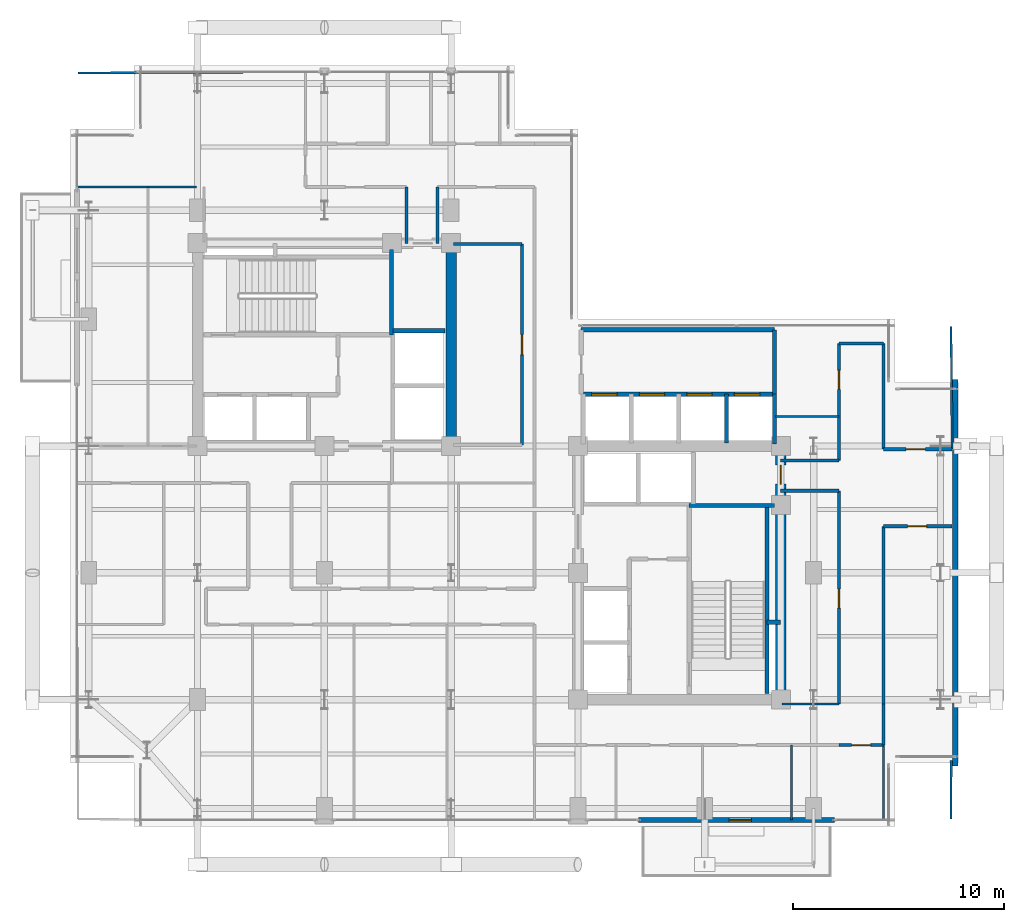
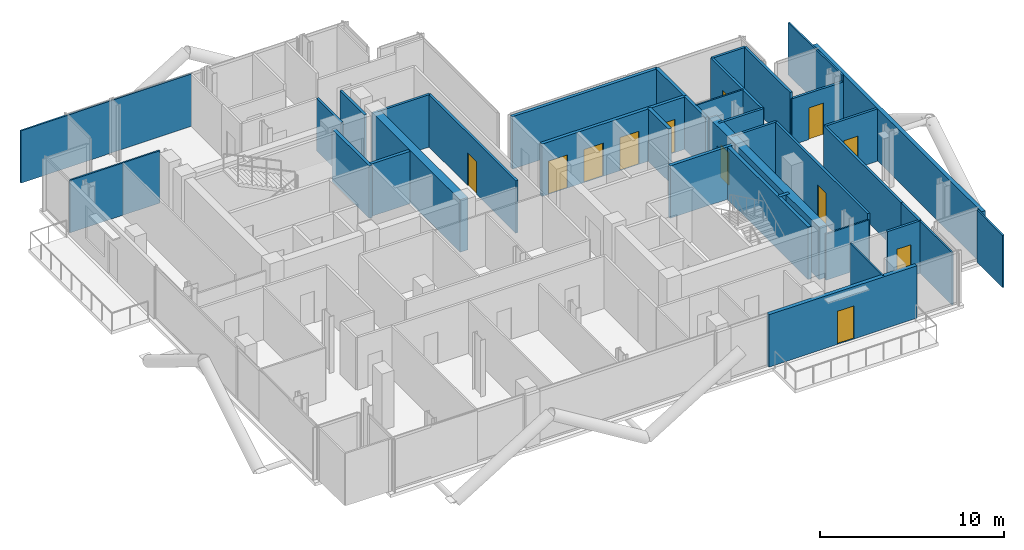
# One storey, part 22 of 26: 38 walls, 12 doors, 12 openings.
"""IFC4 building model written with IfcOpenShell, lengths in metres."""

from ifc_helpers import new_model, si_unit, direction, frame, frame_2d, origin, place, context, subcontext, project, spatial, rectangle, extrude, material, layer, layer_set, type_object, element, fill, save


model = new_model("IFC4")

# Units and contexts
model_context = context("Model", 3, precision=1e-05, world=origin(), true_north=direction((0.0, 1.0)))
body_context = subcontext(model_context, "Body", "Model", "MODEL_VIEW")
ifc_project = project(units=[si_unit("LENGTHUNIT", "METRE"), si_unit("AREAUNIT", "SQUARE_METRE"), si_unit("VOLUMEUNIT", "CUBIC_METRE"), si_unit("PLANEANGLEUNIT", "RADIAN"), si_unit("MASSUNIT", "GRAM", prefix="KILO"), si_unit("THERMODYNAMICTEMPERATUREUNIT", "KELVIN"), si_unit("POWERUNIT", "WATT")], contexts=[model_context])

# Site, building, storey
site_placement = place(None, origin())
site = spatial("IfcSite", under=ifc_project, at=site_placement, CompositionType="ELEMENT")
building_placement = place(site_placement, origin())
building = spatial("IfcBuilding", under=site, at=building_placement, Name="Svarakhadi Broadcast Tower", CompositionType="ELEMENT")
storey_placement = place(building_placement, frame((0.0, 0.0, 195.449951171875)))
storey = spatial("IfcBuildingStorey", under=building, at=storey_placement, Name="L48", CompositionType="ELEMENT", Elevation=195.449951171875)

# Wall, opening, door
ifc_material_1 = material(Name="Concrete C40/50 (IS 456 M50)", Category="concrete")
ifc_layer_1 = layer(ifc_material_1, 0.239990234375)
ifc_layer_set_1 = layer_set([ifc_layer_1], Name="Concrete C40/50 (IS 456 M50)")
wall_type_1 = type_object("IfcWallType", Name="Wall_Ext_240", PredefinedType="SOLIDWALL", material=ifc_layer_set_1)
wall_1_placement = place(storey_placement, frame((36.14501953125, 0.300048828125, 0.0), z_axis=(0.0, 0.0, 1.0), x_axis=(-1.0, 0.0, 0.0)))
wall_1 = element("IfcWall", 1, at=wall_1_placement, inside=storey, type_object=wall_type_1, Name="L48 South Tree Balcony Spandrel Wall", PredefinedType="SOLIDWALL", context=body_context, shape_type="SweptSolid", body=[
    extrude(rectangle(XDim=9.2900390625, YDim=0.239990234375, at=frame_2d((4.64501953125, 0.0))), origin(), (0.0, 0.0, 1.0), 3.47509765625),
])
opening_1_placement = place(wall_1_placement, frame((3.945068359375, 0.0, 0.0)))
opening_1 = element("IfcOpeningElement", 2, at=opening_1_placement, cuts=wall_1, Name="Opening ED-06", PredefinedType="OPENING", context=body_context, shape_type="SweptSolid", body=[
    extrude(rectangle(XDim=1.050048828125, YDim=2.199951171875, at=frame_2d((0.52490234375, 1.10009765625))), frame((0.0, 0.1298828125, 0.0), z_axis=(0.0, -1.0, 0.0), x_axis=(1.0, 0.0, 0.0)), (0.0, 0.0, 1.0), 0.260009765625),
])
ifc_material_2 = material(Name="Anodised Bronze Aluminium AA 6063-T6", Category="aluminium")
door_type_1 = type_object("IfcDoorType", Name="Door_Ext_ED06", OperationType="SINGLE_SWING_RIGHT", PredefinedType="DOOR", material=ifc_material_2)
door_1_placement = place(opening_1_placement, origin())
door_1 = element("IfcDoor", 3, at=door_1_placement, inside=storey, type_object=door_type_1, Name="L48 South Tree Balcony Door", OperationType="SINGLE_SWING_RIGHT", OverallHeight=2.199951171875, OverallWidth=1.050048828125, PredefinedType="DOOR", context=body_context, shape_type="SweptSolid", body=[
    extrude(rectangle(XDim=1.050048828125, YDim=2.199951171875, at=frame_2d((0.52490234375, 1.10009765625))), frame((0.0, 0.02490234375, 0.0), z_axis=(0.0, -1.0, 0.0), x_axis=(1.0, 0.0, 0.0)), (0.0, 0.0, 1.0), 0.050048828125),
])
fill(opening_1, door_1)

# Walls
wall_2_placement = place(storey_placement, frame((41.85009765625, 21.14990234375, 0.0), z_axis=(0.0, 0.0, 1.0), x_axis=(0.0, -1.0, 0.0)))
element("IfcWall", 4, at=wall_2_placement, inside=storey, type_object=wall_type_1, Name="L48 Sky-Pool Raker Anchor Exterior Wall", PredefinedType="SOLIDWALL", context=body_context, shape_type="SweptSolid", body=[
    extrude(rectangle(XDim=18.2998046875, YDim=0.239990234375, at=frame_2d((9.14990234375, 0.0))), origin(), (0.0, 0.0, 1.0), 3.47509765625),
])
ifc_layer_2 = layer(ifc_material_1, 0.199951171875)
ifc_layer_set_2 = layer_set([ifc_layer_2], Name="Concrete C40/50 (IS 456 M50)")
wall_type_2 = type_object("IfcWallType", Name="Wall_Fire_200", PredefinedType="SOLIDWALL", material=ifc_layer_set_2)
wall_3_placement = place(storey_placement, frame((32.93994140625, 9.659912109375, 0.0), z_axis=(0.0, 0.0, 1.0), x_axis=(1.0, 0.0, 0.0)))
element("IfcWall", 5, at=wall_3_placement, inside=storey, type_object=wall_type_2, Name="L48 HV Busduct Riser Shaft North Wall", PredefinedType="SOLIDWALL", context=body_context, shape_type="SweptSolid", body=[
    extrude(rectangle(XDim=0.64013671875, YDim=0.199951171875, at=frame_2d((0.320068359375, 0.0))), origin(), (0.0, 0.0, 1.0), 3.47509765625),
])
ifc_material_3 = material(Name="Fire-Rated Moisture-Resistant Gypsum Board Partition", Category="gypsum")
ifc_layer_3 = layer(ifc_material_3, 0.10009765625)
ifc_layer_set_3 = layer_set([ifc_layer_3], Name="Fire-Rated Moisture-Resistant Gypsum Board Partition")
wall_type_3 = type_object("IfcWallType", Name="Wall_Part_100", PredefinedType="PARTITIONING", material=ifc_layer_set_3)
wall_4_placement = place(storey_placement, frame((0.300048828125, 30.25, 0.0), z_axis=(0.0, 0.0, 1.0), x_axis=(1.0, 0.0, 0.0)))
element("IfcWall", 6, at=wall_4_placement, inside=storey, type_object=wall_type_3, Name="L48 Wellness Relaxation Alcove Wall", PredefinedType="PARTITIONING", context=body_context, shape_type="SweptSolid", body=[
    extrude(rectangle(XDim=3.349853515625, YDim=0.10009765625, at=frame_2d((1.6748046875, 0.0))), origin(), (0.0, 0.0, 1.0), 3.47509765625),
])
wall_5_placement = place(storey_placement, frame((3.64990234375, 30.25, 0.0), z_axis=(0.0, 0.0, 1.0), x_axis=(1.0, 0.0, 0.0)))
element("IfcWall", 7, at=wall_5_placement, inside=storey, type_object=wall_type_3, Name="L48 Herbal Tea Consultation Room Wall", PredefinedType="PARTITIONING", context=body_context, shape_type="SweptSolid", body=[
    extrude(rectangle(XDim=2.300048828125, YDim=0.10009765625, at=frame_2d((1.14990234375, 0.0))), origin(), (0.0, 0.0, 1.0), 3.47509765625),
])
for number, where, z_axis, x_axis, name in (
    (8, (34.10009765625, 0.300048828125, 0.0), (0.0, 0.0, 1.0), (0.0, 1.0, 0.0), "L48 Artisanal Espresso Bar Wall"),
    (9, (38.449951171875, 0.300048828125, 0.0), (0.0, 0.0, 1.0), (0.0, 1.0, 0.0), "L48 Hotel Business Centre Office Wall"),
):
    element("IfcWall", number, at=place(storey_placement, frame(where, z_axis=z_axis, x_axis=x_axis)), inside=storey, type_object=wall_type_3, Name=name, PredefinedType="PARTITIONING", context=body_context, shape_type="SweptSolid", body=[
        extrude(rectangle(XDim=3.550048828125, YDim=0.10009765625, at=frame_2d((1.77490234375, 0.0))), origin(), (0.0, 0.0, 1.0), 3.47509765625),
    ])
wall_6_placement = place(storey_placement, frame((33.64990234375, 5.800048828125, 0.0), z_axis=(0.0, 0.0, 1.0), x_axis=(1.0, 0.0, 0.0)))
element("IfcWall", 10, at=wall_6_placement, inside=storey, type_object=wall_type_3, Name="L48 Sommelier Wine Tasting Room Wall", PredefinedType="PARTITIONING", context=body_context, shape_type="SweptSolid", body=[
    extrude(rectangle(XDim=2.7001953125, YDim=0.10009765625, at=frame_2d((1.35009765625, 0.0))), origin(), (0.0, 0.0, 1.0), 3.067138671875),
])
wall_7_placement = place(storey_placement, frame((41.699951171875, 17.85009765625, 0.0), z_axis=(0.0, 0.0, 1.0), x_axis=(-0.008629077606, 0.999962768817, 0.0)))
element("IfcWall", 11, at=wall_7_placement, inside=storey, type_object=wall_type_3, Name="L48 Hotel Harbour Panorama Suite Wall", PredefinedType="PARTITIONING", context=body_context, shape_type="SweptSolid", body=[
    extrude(rectangle(XDim=5.800048828125, YDim=0.10009765625, at=frame_2d((2.89990234375, 0.0))), origin(), (0.0, 0.0, 1.0), 3.47509765625),
])
wall_8_placement = place(storey_placement, frame((33.35009765625, 19.39990234375, 0.0), z_axis=(0.0, 0.0, 1.0), x_axis=(1.0, 0.0, 0.0)))
element("IfcWall", 12, at=wall_8_placement, inside=storey, type_object=wall_type_3, Name="L48 Harbour Sunset Reading Lounge Wall", PredefinedType="PARTITIONING", context=body_context, shape_type="SweptSolid", body=[
    extrude(rectangle(XDim=3.0, YDim=0.10009765625, at=frame_2d((1.5, 0.0))), origin(), (0.0, 0.0, 1.0), 3.47509765625),
])
wall_9_placement = place(storey_placement, frame((41.64990234375, 0.35009765625, 0.0), z_axis=(0.0, 0.0, 1.0), x_axis=(0.003613584727, 0.999993470981, 0.0)))
element("IfcWall", 13, at=wall_9_placement, inside=storey, type_object=wall_type_3, Name="L48 Harbour Spa Treatment Suite Wall", PredefinedType="PARTITIONING", context=body_context, shape_type="SweptSolid", body=[
    extrude(rectangle(XDim=2.77001953125, YDim=0.10009765625, at=frame_2d((1.385009765625, 0.0))), origin(), (0.0, 0.0, 1.0), 3.47509765625),
])
wall_10_placement = place(storey_placement, frame((0.35009765625, 35.64990234375, 0.0), z_axis=(0.0, 0.0, 1.0), x_axis=(0.999989162382, 0.004655654485, 0.0)))
element("IfcWall", 14, at=wall_10_placement, inside=storey, type_object=wall_type_3, Name="L48 Hotel Guest Yoga and Wellness Studio Wall", PredefinedType="PARTITIONING", context=body_context, shape_type="SweptSolid", body=[
    extrude(rectangle(XDim=10.75, YDim=0.10009765625, at=frame_2d((5.375, 0.0))), origin(), (0.0, 0.0, 1.0), 3.47509765625),
])

# Wall, opening, door
ifc_material_4 = material(Name="Autoclaved Aerated Concrete Blockwork 150 mm", Category="masonry")
ifc_layer_4 = layer(ifc_material_4, 0.14990234375)
ifc_layer_set_4 = layer_set([ifc_layer_4], Name="Autoclaved Aerated Concrete Blockwork 150 mm")
wall_type_4 = type_object("IfcWallType", Name="Wall_Part_150", PredefinedType="PARTITIONING", material=ifc_layer_set_4)
wall_11_placement = place(storey_placement, frame((36.35009765625, 5.800048828125, 0.0), z_axis=(0.0, 0.0, 1.0), x_axis=(0.0, 1.0, 0.0)))
wall_11 = element("IfcWall", 15, at=wall_11_placement, inside=storey, type_object=wall_type_4, Name="L48 Zone 2/3 Corridor Wall", PredefinedType="PARTITIONING", context=body_context, shape_type="SweptSolid", body=[
    extrude(rectangle(XDim=10.079833984375, YDim=0.14990234375, at=frame_2d((5.0400390625, 0.0))), origin(), (0.0, 0.0, 1.0), 3.47509765625),
])
opening_2_placement = place(wall_11_placement, frame((4.530029296875, 0.0, 0.0)))
opening_2 = element("IfcOpeningElement", 16, at=opening_2_placement, cuts=wall_11, Name="Opening D-14", PredefinedType="OPENING", context=body_context, shape_type="SweptSolid", body=[
    extrude(rectangle(XDim=0.89990234375, YDim=2.10009765625, at=frame_2d((0.449951171875, 1.050048828125))), frame((0.0, 0.0849609375, 0.0), z_axis=(0.0, -1.0, 0.0), x_axis=(1.0, 0.0, 0.0)), (0.0, 0.0, 1.0), 0.169921875),
])
ifc_material_5 = material(Name="Solid-Core Teak Veneer Acoustic Timber Leaf", Category="wood")
door_type_2 = type_object("IfcDoorType", Name="Door_Int_D14", OperationType="SINGLE_SWING_LEFT", PredefinedType="DOOR", material=ifc_material_5)
door_2_placement = place(opening_2_placement, origin())
door_2 = element("IfcDoor", 17, at=door_2_placement, inside=storey, type_object=door_type_2, Name="L48 Sommelier Wine Tasting Room Door", OperationType="SINGLE_SWING_LEFT", OverallHeight=2.10009765625, OverallWidth=0.89990234375, PredefinedType="DOOR", context=body_context, shape_type="SweptSolid", body=[
    extrude(rectangle(XDim=0.89990234375, YDim=2.10009765625, at=frame_2d((0.449951171875, 1.050048828125))), frame((0.0, 0.02490234375, 0.0), z_axis=(0.0, -1.0, 0.0), x_axis=(1.0, 0.0, 0.0)), (0.0, 0.0, 1.0), 0.050048828125),
])
fill(opening_2, door_2)

# Walls
for number, where, z_axis, x_axis, name in (
    (18, (36.35009765625, 15.8798828125, 0.0), (0.0, 0.0, 1.0), (-1.0, 0.0, 0.0), "L48 Zone 2/3 Corridor Wall"),
    (19, (33.580078125, 17.320068359375, 0.0), (0.0, 0.0, 1.0), (1.0, 0.0, 0.0), "L48 Zone 2/3 Corridor Wall"),
):
    element("IfcWall", number, at=place(storey_placement, frame(where, z_axis=z_axis, x_axis=x_axis)), inside=storey, type_object=wall_type_4, Name=name, PredefinedType="PARTITIONING", context=body_context, shape_type="SweptSolid", body=[
        extrude(rectangle(XDim=2.77001953125, YDim=0.14990234375, at=frame_2d((1.385009765625, 0.0))), origin(), (0.0, 0.0, 1.0), 3.47509765625),
    ])

# Wall, opening, door
wall_12_placement = place(storey_placement, frame((36.35009765625, 17.320068359375, 0.0), z_axis=(0.0, 0.0, 1.0), x_axis=(0.0, 1.0, 0.0)))
wall_12 = element("IfcWall", 20, at=wall_12_placement, inside=storey, type_object=wall_type_4, Name="L48 Zone 2/3 Corridor Wall", PredefinedType="PARTITIONING", context=body_context, shape_type="SweptSolid", body=[
    extrude(rectangle(XDim=5.530029296875, YDim=0.14990234375, at=frame_2d((2.76513671875, 0.0))), origin(), (0.0, 0.0, 1.0), 3.47509765625),
])
opening_3_placement = place(wall_12_placement, frame((3.35498046875, 0.0, 0.0)))
opening_3 = element("IfcOpeningElement", 21, at=opening_3_placement, cuts=wall_12, Name="Opening D-14", PredefinedType="OPENING", context=body_context, shape_type="SweptSolid", body=[
    extrude(rectangle(XDim=0.89990234375, YDim=2.10009765625, at=frame_2d((0.449951171875, 1.050048828125))), frame((0.0, 0.0849609375, 0.0), z_axis=(0.0, -1.0, 0.0), x_axis=(1.0, 0.0, 0.0)), (0.0, 0.0, 1.0), 0.169921875),
])
door_3_placement = place(opening_3_placement, origin())
door_3 = element("IfcDoor", 22, at=door_3_placement, inside=storey, type_object=door_type_2, Name="L48 Harbour Sunset Reading Lounge Door", OperationType="SINGLE_SWING_LEFT", OverallHeight=2.10009765625, OverallWidth=0.89990234375, PredefinedType="DOOR", context=body_context, shape_type="SweptSolid", body=[
    extrude(rectangle(XDim=0.89990234375, YDim=2.10009765625, at=frame_2d((0.449951171875, 1.050048828125))), frame((0.0, 0.02490234375, 0.0), z_axis=(0.0, -1.0, 0.0), x_axis=(1.0, 0.0, 0.0)), (0.0, 0.0, 1.0), 0.050048828125),
])
fill(opening_3, door_3)

# Walls
wall_13_placement = place(storey_placement, frame((36.35009765625, 22.85009765625, 0.0), z_axis=(0.0, 0.0, 1.0), x_axis=(1.0, 0.0, 0.0)))
element("IfcWall", 23, at=wall_13_placement, inside=storey, type_object=wall_type_4, Name="L48 Zone 2/3 Corridor Wall", PredefinedType="PARTITIONING", context=body_context, shape_type="SweptSolid", body=[
    extrude(rectangle(XDim=2.099853515625, YDim=0.14990234375, at=frame_2d((1.0498046875, 0.0))), origin(), (0.0, 0.0, 1.0), 3.47509765625),
])
wall_14_placement = place(storey_placement, frame((38.449951171875, 22.85009765625, 0.0), z_axis=(0.0, 0.0, 1.0), x_axis=(0.0, -1.0, 0.0)))
element("IfcWall", 24, at=wall_14_placement, inside=storey, type_object=wall_type_4, Name="L48 Zone 2/3 Corridor Wall", PredefinedType="PARTITIONING", context=body_context, shape_type="SweptSolid", body=[
    extrude(rectangle(XDim=5.0, YDim=0.14990234375, at=frame_2d((2.5, 0.0))), origin(), (0.0, 0.0, 1.0), 3.47509765625),
])

# Wall, opening, door
wall_15_placement = place(storey_placement, frame((38.449951171875, 17.85009765625, 0.0), z_axis=(0.0, 0.0, 1.0), x_axis=(1.0, 0.0, 0.0)))
wall_15 = element("IfcWall", 25, at=wall_15_placement, inside=storey, type_object=wall_type_4, Name="L48 Zone 2/3 Corridor Wall", PredefinedType="PARTITIONING", context=body_context, shape_type="SweptSolid", body=[
    extrude(rectangle(XDim=3.25, YDim=0.14990234375, at=frame_2d((1.625, 0.0))), origin(), (0.0, 0.0, 1.0), 3.067138671875),
])
opening_4_placement = place(wall_15_placement, frame((1.080078125, 0.0, 0.0)))
opening_4 = element("IfcOpeningElement", 26, at=opening_4_placement, cuts=wall_15, Name="Opening D-14", PredefinedType="OPENING", context=body_context, shape_type="SweptSolid", body=[
    extrude(rectangle(XDim=0.89990234375, YDim=2.10009765625, at=frame_2d((0.449951171875, 1.050048828125))), frame((0.0, 0.0849609375, 0.0), z_axis=(0.0, -1.0, 0.0), x_axis=(1.0, 0.0, 0.0)), (0.0, 0.0, 1.0), 0.169921875),
])
door_4_placement = place(opening_4_placement, origin())
door_4 = element("IfcDoor", 27, at=door_4_placement, inside=storey, type_object=door_type_2, Name="L48 Hotel Harbour Panorama Suite Door", OperationType="SINGLE_SWING_LEFT", OverallHeight=2.10009765625, OverallWidth=0.89990234375, PredefinedType="DOOR", context=body_context, shape_type="SweptSolid", body=[
    extrude(rectangle(XDim=0.89990234375, YDim=2.10009765625, at=frame_2d((0.449951171875, 1.050048828125))), frame((0.0, 0.02490234375, 0.0), z_axis=(0.0, -1.0, 0.0), x_axis=(1.0, 0.0, 0.0)), (0.0, 0.0, 1.0), 0.050048828125),
])
fill(opening_4, door_4)

wall_16_placement = place(storey_placement, frame((41.699951171875, 14.199951171875, 0.0), z_axis=(0.0, 0.0, 1.0), x_axis=(-1.0, 0.0, 0.0)))
wall_16 = element("IfcWall", 28, at=wall_16_placement, inside=storey, type_object=wall_type_4, Name="L48 Zone 2/3 Corridor Wall", PredefinedType="PARTITIONING", context=body_context, shape_type="SweptSolid", body=[
    extrude(rectangle(XDim=3.25, YDim=0.14990234375, at=frame_2d((1.625, 0.0))), origin(), (0.0, 0.0, 1.0), 3.47509765625),
])
opening_5_placement = place(wall_16_placement, frame((1.199951171875, 0.0, 0.0)))
opening_5 = element("IfcOpeningElement", 29, at=opening_5_placement, cuts=wall_16, Name="Opening D-14", PredefinedType="OPENING", context=body_context, shape_type="SweptSolid", body=[
    extrude(rectangle(XDim=0.89990234375, YDim=2.10009765625, at=frame_2d((0.449951171875, 1.050048828125))), frame((0.0, 0.0849609375, 0.0), z_axis=(0.0, -1.0, 0.0), x_axis=(1.0, 0.0, 0.0)), (0.0, 0.0, 1.0), 0.169921875),
])
door_5_placement = place(opening_5_placement, origin())
door_5 = element("IfcDoor", 30, at=door_5_placement, inside=storey, type_object=door_type_2, Name="L48 Harbour Spa Treatment Suite Door", OperationType="SINGLE_SWING_LEFT", OverallHeight=2.10009765625, OverallWidth=0.89990234375, PredefinedType="DOOR", context=body_context, shape_type="SweptSolid", body=[
    extrude(rectangle(XDim=0.89990234375, YDim=2.10009765625, at=frame_2d((0.449951171875, 1.050048828125))), frame((0.0, 0.02490234375, 0.0), z_axis=(0.0, -1.0, 0.0), x_axis=(1.0, 0.0, 0.0)), (0.0, 0.0, 1.0), 0.050048828125),
])
fill(opening_5, door_5)

# Walls
wall_17_placement = place(storey_placement, frame((38.449951171875, 14.199951171875, 0.0), z_axis=(0.0, 0.0, 1.0), x_axis=(0.0, -1.0, 0.0)))
element("IfcWall", 31, at=wall_17_placement, inside=storey, type_object=wall_type_4, Name="L48 Zone 2/3 Corridor Wall", PredefinedType="PARTITIONING", context=body_context, shape_type="SweptSolid", body=[
    extrude(rectangle(XDim=8.39990234375, YDim=0.14990234375, at=frame_2d((4.199951171875, 0.0))), origin(), (0.0, 0.0, 1.0), 3.47509765625),
])
wall_18_placement = place(storey_placement, frame((38.449951171875, 5.800048828125, 0.0), z_axis=(0.0, 0.0, 1.0), x_axis=(0.0, -1.0, 0.0)))
element("IfcWall", 32, at=wall_18_placement, inside=storey, type_object=wall_type_4, Name="L48 Zone 2/3 Corridor Wall", PredefinedType="PARTITIONING", context=body_context, shape_type="SweptSolid", body=[
    extrude(rectangle(XDim=1.949951171875, YDim=0.14990234375, at=frame_2d((0.97509765625, 0.0))), origin(), (0.0, 0.0, 1.0), 3.47509765625),
])

# Wall, opening, door
wall_19_placement = place(storey_placement, frame((38.449951171875, 3.85009765625, 0.0), z_axis=(0.0, 0.0, 1.0), x_axis=(-1.0, 0.0, 0.0)))
wall_19 = element("IfcWall", 33, at=wall_19_placement, inside=storey, type_object=wall_type_4, Name="L48 Zone 2/3 Corridor Wall", PredefinedType="PARTITIONING", context=body_context, shape_type="SweptSolid", body=[
    extrude(rectangle(XDim=2.099853515625, YDim=0.14990234375, at=frame_2d((1.0498046875, 0.0))), origin(), (0.0, 0.0, 1.0), 3.47509765625),
])
opening_6_placement = place(wall_19_placement, frame((0.60009765625, 0.0, 0.0)))
opening_6 = element("IfcOpeningElement", 34, at=opening_6_placement, cuts=wall_19, Name="Opening D-15", PredefinedType="OPENING", context=body_context, shape_type="SweptSolid", body=[
    extrude(rectangle(XDim=0.89990234375, YDim=2.10009765625, at=frame_2d((0.449951171875, 1.050048828125))), frame((0.0, 0.0849609375, 0.0), z_axis=(0.0, -1.0, 0.0), x_axis=(1.0, 0.0, 0.0)), (0.0, 0.0, 1.0), 0.169921875),
])
door_type_3 = type_object("IfcDoorType", Name="Door_Int_D15", OperationType="SINGLE_SWING_RIGHT", PredefinedType="DOOR", material=ifc_material_5)
door_6_placement = place(opening_6_placement, origin())
door_6 = element("IfcDoor", 35, at=door_6_placement, inside=storey, type_object=door_type_3, Name="L48 Hotel Business Centre Office Door", OperationType="SINGLE_SWING_RIGHT", OverallHeight=2.10009765625, OverallWidth=0.89990234375, PredefinedType="DOOR", context=body_context, shape_type="SweptSolid", body=[
    extrude(rectangle(XDim=0.89990234375, YDim=2.10009765625, at=frame_2d((0.449951171875, 1.050048828125))), frame((0.0, 0.02490234375, 0.0), z_axis=(0.0, -1.0, 0.0), x_axis=(1.0, 0.0, 0.0)), (0.0, 0.0, 1.0), 0.050048828125),
])
fill(opening_6, door_6)

# Walls
for number, where, z_axis, x_axis, name in (
    (36, (17.35009765625, 30.25, 0.0), (0.0, 0.0, 1.0), (0.0, -1.0, 0.0), "L48 Zone 2/3 Corridor Wall"),
    (37, (15.8798828125, 27.580078125, 0.0), (0.0, 0.0, 1.0), (0.0, 1.0, 0.0), "L48 Zone 2/3 Corridor Wall"),
):
    element("IfcWall", number, at=place(storey_placement, frame(where, z_axis=z_axis, x_axis=x_axis)), inside=storey, type_object=wall_type_4, Name=name, PredefinedType="PARTITIONING", context=body_context, shape_type="SweptSolid", body=[
        extrude(rectangle(XDim=2.669921875, YDim=0.14990234375, at=frame_2d((1.3349609375, 0.0))), origin(), (0.0, 0.0, 1.0), 3.47509765625),
    ])
wall_20_placement = place(storey_placement, frame((18.10009765625, 27.550048828125, 0.0), z_axis=(0.0, 0.0, 1.0), x_axis=(1.0, 0.0, 0.0)))
element("IfcWall", 38, at=wall_20_placement, inside=storey, type_object=wall_type_4, Name="L48 Hotel Floor Butler Service Pantry Wall", PredefinedType="PARTITIONING", context=body_context, shape_type="SweptSolid", body=[
    extrude(rectangle(XDim=3.25, YDim=0.14990234375, at=frame_2d((1.625, 0.0))), origin(), (0.0, 0.0, 1.0), 3.47509765625),
])

# Wall, opening, door
wall_21_placement = place(storey_placement, frame((21.35009765625, 18.050048828125, 0.0), z_axis=(0.0, 0.0, 1.0), x_axis=(0.0, 1.0, 0.0)))
wall_21 = element("IfcWall", 39, at=wall_21_placement, inside=storey, type_object=wall_type_4, Name="L48 Hotel Floor Butler Service Pantry Wall", PredefinedType="PARTITIONING", context=body_context, shape_type="SweptSolid", body=[
    extrude(rectangle(XDim=9.5, YDim=0.14990234375, at=frame_2d((4.75, 0.0))), origin(), (0.0, 0.0, 1.0), 3.47509765625),
])
opening_7_placement = place(wall_21_placement, frame((4.27490234375, 0.0, 0.0)))
opening_7 = element("IfcOpeningElement", 40, at=opening_7_placement, cuts=wall_21, Name="Opening D-07", PredefinedType="OPENING", context=body_context, shape_type="SweptSolid", body=[
    extrude(rectangle(XDim=0.949951171875, YDim=2.14990234375, at=frame_2d((0.47509765625, 1.074951171875))), frame((0.0, 0.0849609375, 0.0), z_axis=(0.0, -1.0, 0.0), x_axis=(1.0, 0.0, 0.0)), (0.0, 0.0, 1.0), 0.169921875),
])
door_type_4 = type_object("IfcDoorType", Name="Door_Office_D07", OperationType="SINGLE_SWING_RIGHT", PredefinedType="DOOR", material=ifc_material_5)
door_7_placement = place(opening_7_placement, origin())
door_7 = element("IfcDoor", 41, at=door_7_placement, inside=storey, type_object=door_type_4, Name="L48 Hotel Floor Butler Service Pantry Door", OperationType="SINGLE_SWING_RIGHT", OverallHeight=2.14990234375, OverallWidth=0.949951171875, PredefinedType="DOOR", context=body_context, shape_type="SweptSolid", body=[
    extrude(rectangle(XDim=0.949951171875, YDim=2.14990234375, at=frame_2d((0.47509765625, 1.074951171875))), frame((0.0, 0.02490234375, 0.0), z_axis=(0.0, -1.0, 0.0), x_axis=(1.0, 0.0, 0.0)), (0.0, 0.0, 1.0), 0.050048828125),
])
fill(opening_7, door_7)

# Walls
ifc_material_6 = material(Name="Concrete C50/60 (IS 456 M60)", Category="concrete")
ifc_layer_5 = layer(ifc_material_6, 0.199951171875)
ifc_layer_set_5 = layer_set([ifc_layer_5], Name="Concrete C50/60 (IS 456 M60)")
wall_type_5 = type_object("IfcWallType", Name="Wall_Shear_200", PredefinedType="SHEAR", material=ifc_layer_set_5)
wall_22_placement = place(storey_placement, frame((15.179931640625, 23.260009765625, 0.0), z_axis=(0.0, 0.0, 1.0), x_axis=(0.0, 1.0, 0.0)))
element("IfcWall", 42, at=wall_22_placement, inside=storey, type_object=wall_type_5, Name="L48 Stair ST-01 East RC Shaft Wall", PredefinedType="SHEAR", context=body_context, shape_type="SweptSolid", body=[
    extrude(rectangle(XDim=4.0400390625, YDim=0.199951171875, at=frame_2d((2.02001953125, 0.0))), origin(), (0.0, 0.0, 1.0), 3.47509765625),
])
wall_23_placement = place(storey_placement, frame((32.93994140625, 6.300048828125, 0.0), z_axis=(0.0, 0.0, 1.0), x_axis=(0.0, 1.0, 0.0)))
element("IfcWall", 43, at=wall_23_placement, inside=storey, type_object=wall_type_5, Name="L48 Stair ST-02 East RC Shaft Wall", PredefinedType="SHEAR", context=body_context, shape_type="SweptSolid", body=[
    extrude(rectangle(XDim=8.8798828125, YDim=0.199951171875, at=frame_2d((4.43994140625, 0.0))), origin(), (0.0, 0.0, 1.0), 3.47509765625),
])
wall_24_placement = place(storey_placement, frame((29.260009765625, 15.179931640625, 0.0), z_axis=(0.0, 0.0, 1.0), x_axis=(1.0, 0.0, 0.0)))
element("IfcWall", 44, at=wall_24_placement, inside=storey, type_object=wall_type_5, Name="L48 Stair ST-02 North RC Shaft Wall", PredefinedType="SHEAR", context=body_context, shape_type="SweptSolid", body=[
    extrude(rectangle(XDim=4.0400390625, YDim=0.199951171875, at=frame_2d((2.02001953125, 0.0))), origin(), (0.0, 0.0, 1.0), 3.47509765625),
])
wall_25_placement = place(storey_placement, frame((15.25, 23.449951171875, 0.0), z_axis=(0.0, 0.0, 1.0), x_axis=(1.0, 0.0, 0.0)))
element("IfcWall", 45, at=wall_25_placement, inside=storey, type_object=wall_type_5, Name="L48 High-Rise Lift LF-13/14 North Wall", PredefinedType="SHEAR", context=body_context, shape_type="SweptSolid", body=[
    extrude(rectangle(XDim=2.449951171875, YDim=0.199951171875, at=frame_2d((1.22509765625, 0.0))), origin(), (0.0, 0.0, 1.0), 3.47509765625),
])
wall_26_placement = place(storey_placement, frame((33.300048828125, 18.10009765625, 0.0), z_axis=(0.0, 0.0, 1.0), x_axis=(0.0, 1.0, 0.0)))
element("IfcWall", 46, at=wall_26_placement, inside=storey, type_object=wall_type_5, Name="L48 Bank B East Shaft Wall", PredefinedType="SHEAR", context=body_context, shape_type="SweptSolid", body=[
    extrude(rectangle(XDim=2.349853515625, YDim=0.199951171875, at=frame_2d((1.1748046875, 0.0))), origin(), (0.0, 0.0, 1.0), 3.47509765625),
])

# Wall, openings, doors
wall_27_placement = place(storey_placement, frame((24.25, 20.449951171875, 0.0), z_axis=(0.0, 0.0, 1.0), x_axis=(1.0, 0.0, 0.0)))
wall_27 = element("IfcWall", 47, at=wall_27_placement, inside=storey, type_object=wall_type_5, Name="L48 Bank B North Landing Wall", PredefinedType="SHEAR", context=body_context, shape_type="SweptSolid", body=[
    extrude(rectangle(XDim=9.050048828125, YDim=0.199951171875, at=frame_2d((4.52490234375, 0.0))), origin(), (0.0, 0.0, 1.0), 3.47509765625),
])
opening_8_placement = place(wall_27_placement, frame((0.39990234375, 0.0, 0.0)))
opening_8 = element("IfcOpeningElement", 48, at=opening_8_placement, cuts=wall_27, Name="Opening LD-02", PredefinedType="OPENING", context=body_context, shape_type="SweptSolid", body=[
    extrude(rectangle(XDim=1.199951171875, YDim=2.199951171875, at=frame_2d((0.60009765625, 1.10009765625))), frame((0.0, 0.10986328125, 0.0), z_axis=(0.0, -1.0, 0.0), x_axis=(1.0, 0.0, 0.0)), (0.0, 0.0, 1.0), 0.219970703125),
])
opening_9_placement = place(wall_27_placement, frame((2.64990234375, 0.0, 0.0)))
opening_9 = element("IfcOpeningElement", 49, at=opening_9_placement, cuts=wall_27, Name="Opening LD-02", PredefinedType="OPENING", context=body_context, shape_type="SweptSolid", body=[
    extrude(rectangle(XDim=1.199951171875, YDim=2.199951171875, at=frame_2d((0.60009765625, 1.10009765625))), frame((0.0, 0.10986328125, 0.0), z_axis=(0.0, -1.0, 0.0), x_axis=(1.0, 0.0, 0.0)), (0.0, 0.0, 1.0), 0.219970703125),
])
opening_10_placement = place(wall_27_placement, frame((4.89990234375, 0.0, 0.0)))
opening_10 = element("IfcOpeningElement", 50, at=opening_10_placement, cuts=wall_27, Name="Opening LD-02", PredefinedType="OPENING", context=body_context, shape_type="SweptSolid", body=[
    extrude(rectangle(XDim=1.199951171875, YDim=2.199951171875, at=frame_2d((0.60009765625, 1.10009765625))), frame((0.0, 0.10986328125, 0.0), z_axis=(0.0, -1.0, 0.0), x_axis=(1.0, 0.0, 0.0)), (0.0, 0.0, 1.0), 0.219970703125),
])
opening_11_placement = place(wall_27_placement, frame((7.14990234375, 0.0, 0.0)))
opening_11 = element("IfcOpeningElement", 51, at=opening_11_placement, cuts=wall_27, Name="Opening LD-02", PredefinedType="OPENING", context=body_context, shape_type="SweptSolid", body=[
    extrude(rectangle(XDim=1.199951171875, YDim=2.199951171875, at=frame_2d((0.60009765625, 1.10009765625))), frame((0.0, 0.10986328125, 0.0), z_axis=(0.0, -1.0, 0.0), x_axis=(1.0, 0.0, 0.0)), (0.0, 0.0, 1.0), 0.219970703125),
])
ifc_material_7 = material(Name="Galvanised Powder-Coated Fire-Rated Steel Leaf", Category="steel")
door_type_5 = type_object("IfcDoorType", Name="Door_Lift_LD02", OperationType="SLIDING_TO_RIGHT", PredefinedType="DOOR", material=ifc_material_7)
door_8_placement = place(opening_8_placement, origin())
door_8 = element("IfcDoor", 52, at=door_8_placement, inside=storey, type_object=door_type_5, Name="L48 Mid-Rise Lift LF-09 Landing Door", OperationType="SLIDING_TO_RIGHT", OverallHeight=2.199951171875, OverallWidth=1.199951171875, PredefinedType="DOOR", context=body_context, shape_type="SweptSolid", body=[
    extrude(rectangle(XDim=1.199951171875, YDim=2.199951171875, at=frame_2d((0.60009765625, 1.10009765625))), frame((0.0, 0.02490234375, 0.0), z_axis=(0.0, -1.0, 0.0), x_axis=(1.0, 0.0, 0.0)), (0.0, 0.0, 1.0), 0.050048828125),
])
fill(opening_8, door_8)
door_9_placement = place(opening_9_placement, origin())
door_9 = element("IfcDoor", 53, at=door_9_placement, inside=storey, type_object=door_type_5, Name="L48 Mid-Rise Lift LF-10 Landing Door", OperationType="SLIDING_TO_RIGHT", OverallHeight=2.199951171875, OverallWidth=1.199951171875, PredefinedType="DOOR", context=body_context, shape_type="SweptSolid", body=[
    extrude(rectangle(XDim=1.199951171875, YDim=2.199951171875, at=frame_2d((0.60009765625, 1.10009765625))), frame((0.0, 0.02490234375, 0.0), z_axis=(0.0, -1.0, 0.0), x_axis=(1.0, 0.0, 0.0)), (0.0, 0.0, 1.0), 0.050048828125),
])
fill(opening_9, door_9)
door_10_placement = place(opening_10_placement, origin())
door_10 = element("IfcDoor", 54, at=door_10_placement, inside=storey, type_object=door_type_5, Name="L48 Mid-Rise Lift LF-11 Landing Door", OperationType="SLIDING_TO_RIGHT", OverallHeight=2.199951171875, OverallWidth=1.199951171875, PredefinedType="DOOR", context=body_context, shape_type="SweptSolid", body=[
    extrude(rectangle(XDim=1.199951171875, YDim=2.199951171875, at=frame_2d((0.60009765625, 1.10009765625))), frame((0.0, 0.02490234375, 0.0), z_axis=(0.0, -1.0, 0.0), x_axis=(1.0, 0.0, 0.0)), (0.0, 0.0, 1.0), 0.050048828125),
])
fill(opening_10, door_10)
door_11_placement = place(opening_11_placement, origin())
door_11 = element("IfcDoor", 55, at=door_11_placement, inside=storey, type_object=door_type_5, Name="L48 Mid-Rise Lift LF-12 Landing Door", OperationType="SLIDING_TO_RIGHT", OverallHeight=2.199951171875, OverallWidth=1.199951171875, PredefinedType="DOOR", context=body_context, shape_type="SweptSolid", body=[
    extrude(rectangle(XDim=1.199951171875, YDim=2.199951171875, at=frame_2d((0.60009765625, 1.10009765625))), frame((0.0, 0.02490234375, 0.0), z_axis=(0.0, -1.0, 0.0), x_axis=(1.0, 0.0, 0.0)), (0.0, 0.0, 1.0), 0.050048828125),
])
fill(opening_11, door_11)

# Walls
wall_28_placement = place(storey_placement, frame((31.02001953125, 18.14990234375, 0.0), z_axis=(0.0, 0.0, 1.0), x_axis=(0.0, 1.0, 0.0)))
element("IfcWall", 56, at=wall_28_placement, inside=storey, type_object=wall_type_5, Name="L48 Bank B Divider", PredefinedType="SHEAR", context=body_context, shape_type="SweptSolid", body=[
    extrude(rectangle(XDim=2.300048828125, YDim=0.199951171875, at=frame_2d((1.14990234375, 0.0))), origin(), (0.0, 0.0, 1.0), 3.47509765625),
])
wall_29_placement = place(storey_placement, frame((24.14990234375, 23.5, 0.0), z_axis=(0.0, 0.0, 1.0), x_axis=(1.0, 0.0, 0.0)))
element("IfcWall", 57, at=wall_29_placement, inside=storey, type_object=wall_type_5, Name="L48 Bank B Lift Hall North Wall", PredefinedType="SHEAR", context=body_context, shape_type="SweptSolid", body=[
    extrude(rectangle(XDim=9.150146484375, YDim=0.199951171875, at=frame_2d((4.5751953125, 0.0))), origin(), (0.0, 0.0, 1.0), 3.47509765625),
])
wall_30_placement = place(storey_placement, frame((33.300048828125, 20.449951171875, 0.0), z_axis=(0.0, 0.0, 1.0), x_axis=(0.0, 1.0, 0.0)))
element("IfcWall", 58, at=wall_30_placement, inside=storey, type_object=wall_type_5, Name="L48 Bank B Lift Hall East Wall", PredefinedType="SHEAR", context=body_context, shape_type="SweptSolid", body=[
    extrude(rectangle(XDim=3.050048828125, YDim=0.199951171875, at=frame_2d((1.52490234375, 0.0))), origin(), (0.0, 0.0, 1.0), 3.47509765625),
])
ifc_layer_6 = layer(ifc_material_6, 0.5)
ifc_layer_set_6 = layer_set([ifc_layer_6], Name="Concrete C50/60 (IS 456 M60)")
wall_type_6 = type_object("IfcWallType", Name="Wall_Shear_500", PredefinedType="SHEAR", material=ifc_layer_set_6)
wall_31_placement = place(storey_placement, frame((18.0, 18.0, 0.0), z_axis=(0.0, 0.0, 1.0), x_axis=(0.0, 1.0, 0.0)))
element("IfcWall", 59, at=wall_31_placement, inside=storey, type_object=wall_type_6, Name="L48 West Core East Shear Wall", PredefinedType="SHEAR", context=body_context, shape_type="SweptSolid", body=[
    extrude(rectangle(XDim=9.60009765625, YDim=0.5, at=frame_2d((4.800048828125, 0.0))), origin(), (0.0, 0.0, 1.0), 3.47509765625),
])

# Wall, opening, door
wall_32_placement = place(storey_placement, frame((33.60009765625, 6.0, 0.0), z_axis=(0.0, 0.0, 1.0), x_axis=(0.0, 1.0, 0.0)))
wall_32 = element("IfcWall", 60, at=wall_32_placement, inside=storey, type_object=wall_type_6, Name="L48 East Core East Shear Wall", PredefinedType="SHEAR", context=body_context, shape_type="SweptSolid", body=[
    extrude(rectangle(XDim=12.0, YDim=0.5, at=frame_2d((6.0, 0.0))), origin(), (0.0, 0.0, 1.0), 3.47509765625),
])
opening_12_placement = place(wall_32_placement, frame((10.199951171875, 0.0, 0.0)))
opening_12 = element("IfcOpeningElement", 61, at=opening_12_placement, cuts=wall_32, Name="Opening D-04", PredefinedType="OPENING", context=body_context, shape_type="SweptSolid", body=[
    extrude(rectangle(XDim=0.89990234375, YDim=2.14990234375, at=frame_2d((0.449951171875, 1.074951171875))), frame((0.0, 0.260009765625, 0.0), z_axis=(0.0, -1.0, 0.0), x_axis=(1.0, 0.0, 0.0)), (0.0, 0.0, 1.0), 0.52001953125),
])
door_type_6 = type_object("IfcDoorType", Name="Door_Fire_D04", OperationType="SINGLE_SWING_RIGHT", PredefinedType="DOOR", material=ifc_material_7)
door_12_placement = place(opening_12_placement, origin())
door_12 = element("IfcDoor", 62, at=door_12_placement, inside=storey, type_object=door_type_6, Name="L48 Core Service Room East Door", OperationType="SINGLE_SWING_RIGHT", OverallHeight=2.14990234375, OverallWidth=0.89990234375, PredefinedType="DOOR", context=body_context, shape_type="SweptSolid", body=[
    extrude(rectangle(XDim=0.89990234375, YDim=2.14990234375, at=frame_2d((0.449951171875, 1.074951171875))), frame((0.0, 0.02490234375, 0.0), z_axis=(0.0, -1.0, 0.0), x_axis=(1.0, 0.0, 0.0)), (0.0, 0.0, 1.0), 0.050048828125),
])
fill(opening_12, door_12)

save(model, "model.ifc")
